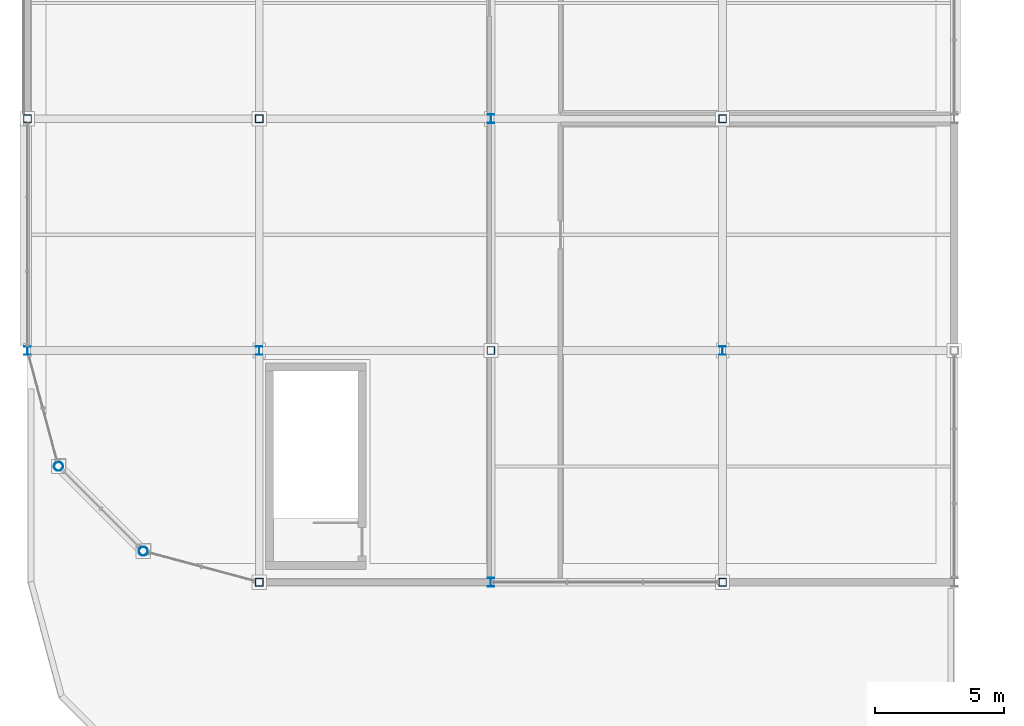
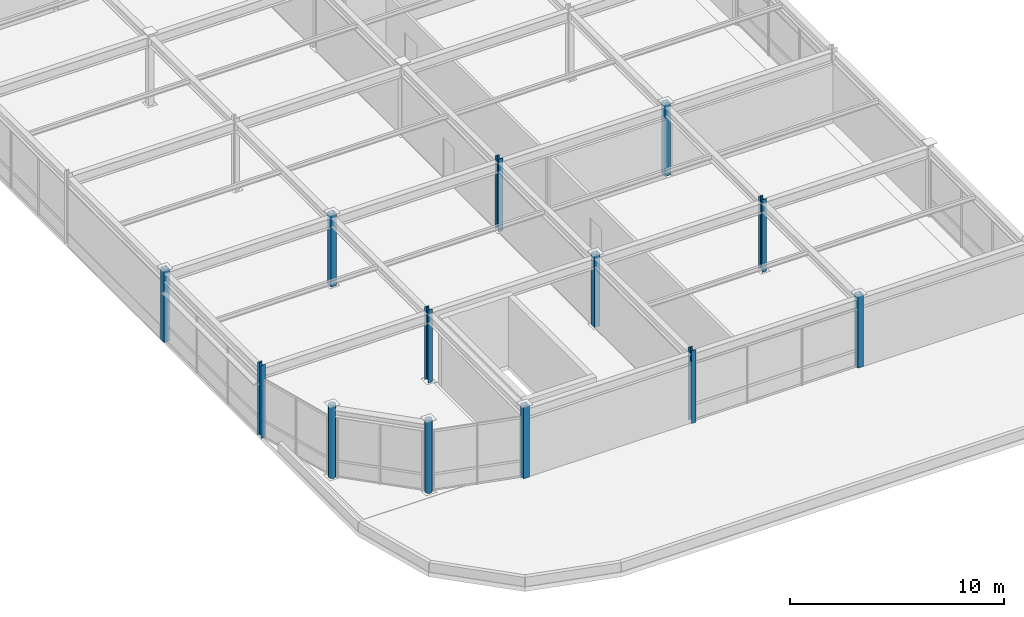
# One storey, part 1 of 108: 13 columns.
"""IFC4 building model written with IfcOpenShell, lengths in metres."""

from ifc_helpers import new_model, si_unit, direction, frame, origin, origin_2d, place, context, subcontext, project, spatial, hollow_rectangle, hollow_circle, i_section, extrude, material, material_profile, profile_set, type_object, element, save


model = new_model("IFC4")

# Units and contexts
model_context = context("Model", 3, precision=1e-05, world=origin(), true_north=direction((0.0, 1.0)))
body_context = subcontext(model_context, "Body", "Model", "MODEL_VIEW")
ifc_project = project(units=[si_unit("LENGTHUNIT", "METRE"), si_unit("AREAUNIT", "SQUARE_METRE"), si_unit("VOLUMEUNIT", "CUBIC_METRE"), si_unit("PLANEANGLEUNIT", "RADIAN"), si_unit("MASSUNIT", "GRAM", prefix="KILO")], contexts=[model_context])

# Site, building, storey
site_placement = place(None, origin())
site = spatial("IfcSite", under=ifc_project, at=site_placement, CompositionType="ELEMENT")
building_placement = place(site_placement, origin())
building = spatial("IfcBuilding", under=site, at=building_placement, Name="Suzunagisa Mobility Hub", CompositionType="ELEMENT")
storey_placement = place(building_placement, frame((0.0, 0.0, 9.300048828125)))
storey = spatial("IfcBuildingStorey", under=building, at=storey_placement, Name="L02", CompositionType="ELEMENT", Elevation=9.300048828125)

# Columns
ifc_material = material(Name="Steel SN490B", Category="steel")
ifc_material_profile_1 = material_profile(ifc_material, i_section(OverallWidth=0.25, OverallDepth=0.340087890625, WebThickness=0.009033203125, FlangeThickness=0.013916015625, FilletRadius=0.010009765625, at=origin_2d()), Name="H-340x250x9x14")
ifc_profile_set_1 = profile_set([ifc_material_profile_1], Name="Steel SN490B")
column_type_1 = type_object("IfcColumnType", Name="Steel Column CL-02 H-340x250x9x14", PredefinedType="COLUMN", material=ifc_profile_set_1)
for number, where, z_axis, x_axis, name in (
    (1, (0.0, 18.0, 0.0), (0.0, 0.0, 1.0), (1.0, 0.0, 0.0), "L02 Column 2"),
    (2, (9.0, 18.0, 0.0), (0.0, 0.0, 1.0), (1.0, 0.0, 0.0), "L02 Column 22"),
    (3, (18.0, 9.0, 0.0), (0.0, 0.0, 1.0), (1.0, 0.0, 0.0), "L02 Column 42"),
    (4, (18.0, 27.0, 0.0), (0.0, 0.0, 1.0), (1.0, 0.0, 0.0), "L02 Column 44"),
    (5, (27.0, 18.0, 0.0), (0.0, 0.0, 1.0), (1.0, 0.0, 0.0), "L02 Column 64"),
):
    element("IfcColumn", number, at=place(storey_placement, frame(where, z_axis=z_axis, x_axis=x_axis)), inside=storey, type_object=column_type_1, Name=name, PredefinedType="COLUMN", context=body_context, shape_type="SweptSolid", body=[
        extrude(i_section(OverallWidth=0.25, OverallDepth=0.340087890625, WebThickness=0.009033203125, FlangeThickness=0.013916015625, FilletRadius=0.010009765625, at=origin_2d()), origin(), (0.0, 0.0, 1.0), 4.139892578125),
    ])
ifc_material_profile_2 = material_profile(ifc_material, hollow_rectangle(XDim=0.300048828125, YDim=0.300048828125, WallThickness=0.011962890625, at=origin_2d()), Name="BCR-300x300x12")
ifc_profile_set_2 = profile_set([ifc_material_profile_2], Name="Steel SN490B")
column_type_2 = type_object("IfcColumnType", Name="Steel Column CL-12 BCR-300x300x12", PredefinedType="COLUMN", material=ifc_profile_set_2)
for number, where, z_axis, x_axis, name in (
    (6, (0.0, 27.0, 0.0), (0.0, 0.0, 1.0), (1.0, 0.0, 0.0), "L02 Column 3"),
    (7, (9.0, 9.0, 0.0), (0.0, 0.0, 1.0), (1.0, 0.0, 0.0), "L02 Column 21"),
    (8, (9.0, 27.0, 0.0), (0.0, 0.0, 1.0), (1.0, 0.0, 0.0), "L02 Column 23"),
    (9, (18.0, 18.0, 0.0), (0.0, 0.0, 1.0), (1.0, 0.0, 0.0), "L02 Column 43"),
    (10, (27.0, 9.0, 0.0), (0.0, 0.0, 1.0), (1.0, 0.0, 0.0), "L02 Column 63"),
    (11, (27.0, 27.0, 0.0), (0.0, 0.0, 1.0), (1.0, 0.0, 0.0), "L02 Column 65"),
):
    element("IfcColumn", number, at=place(storey_placement, frame(where, z_axis=z_axis, x_axis=x_axis)), inside=storey, type_object=column_type_2, Name=name, PredefinedType="COLUMN", context=body_context, shape_type="SweptSolid", body=[
        extrude(hollow_rectangle(XDim=0.300048828125, YDim=0.300048828125, WallThickness=0.011962890625, at=origin_2d()), origin(), (0.0, 0.0, 1.0), 4.139892578125),
    ])
ifc_material_profile_3 = material_profile(ifc_material, hollow_circle(Radius=0.177734375, WallThickness=0.0126953125, at=origin_2d()), Name="CHS-355.6x12.7")
ifc_profile_set_3 = profile_set([ifc_material_profile_3], Name="Steel SN490B")
column_type_3 = type_object("IfcColumnType", Name="Steel Column CL-18 CHS-355.6x12.7", PredefinedType="COLUMN", material=ifc_profile_set_3)
for number, where, z_axis, x_axis, name in (
    (12, (1.205810546875, 13.5, 0.0), (0.0, 0.0, 1.0), (1.0, 0.0, 0.0), "L02 Column 12"),
    (13, (4.5, 10.205810546875, 0.0), (0.0, 0.0, 1.0), (1.0, 0.0, 0.0), "L02 Column 17"),
):
    element("IfcColumn", number, at=place(storey_placement, frame(where, z_axis=z_axis, x_axis=x_axis)), inside=storey, type_object=column_type_3, Name=name, PredefinedType="COLUMN", context=body_context, shape_type="SweptSolid", body=[
        extrude(hollow_circle(Radius=0.177734375, WallThickness=0.0126953125, at=origin_2d()), origin(), (0.0, 0.0, 1.0), 4.139892578125),
    ])

save(model, "model.ifc")
